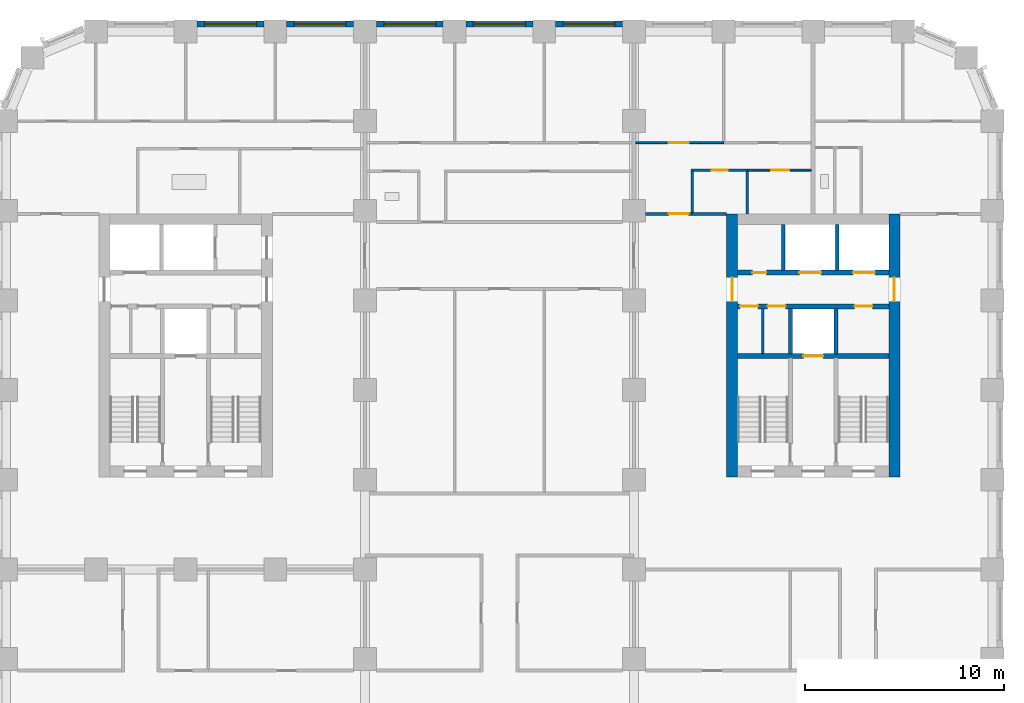
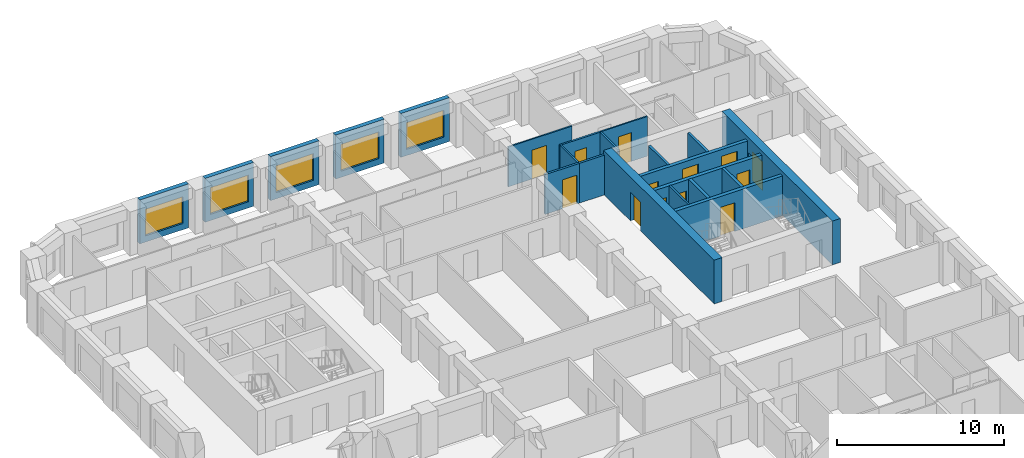
# One storey, part 8 of 13: 22 walls, 13 doors, 5 windows, 18 openings.
"""IFC4 building model written with IfcOpenShell, lengths in metres."""

from ifc_helpers import new_model, si_unit, direction, frame, frame_2d, origin, place, context, subcontext, project, spatial, rectangle, extrude, material, layer, layer_set, type_object, element, fill, save


model = new_model("IFC4")

# Units and contexts
model_context = context("Model", 3, precision=1e-05, world=origin(), true_north=direction((0.0, 1.0)))
body_context = subcontext(model_context, "Body", "Model", "MODEL_VIEW")
ifc_project = project(units=[si_unit("LENGTHUNIT", "METRE"), si_unit("AREAUNIT", "SQUARE_METRE"), si_unit("VOLUMEUNIT", "CUBIC_METRE"), si_unit("PLANEANGLEUNIT", "RADIAN"), si_unit("MASSUNIT", "GRAM", prefix="KILO")], contexts=[model_context])

# Site, building, storey
site_placement = place(None, origin())
site = spatial("IfcSite", under=ifc_project, at=site_placement, CompositionType="ELEMENT")
building_placement = place(site_placement, origin())
building = spatial("IfcBuilding", under=site, at=building_placement, Name="Girih Gate Residences", CompositionType="ELEMENT")
storey_placement = place(building_placement, frame((0.0, 0.0, 89.60009765625)))
storey = spatial("IfcBuildingStorey", under=building, at=storey_placement, Name="L24", CompositionType="ELEMENT", Elevation=89.60009765625)

# Wall
ifc_material_1 = material(Name="Gypsum board on steel studs", Category="steel")
ifc_layer_1 = layer(ifc_material_1, 0.14990234375)
ifc_layer_set_1 = layer_set([ifc_layer_1], Name="Compartment wall 150 mm")
wall_type_1 = type_object("IfcWallType", Name="Compartment wall 150 mm", PredefinedType="PARTITIONING", material=ifc_layer_set_1)
wall_1_placement = place(storey_placement, frame((34.425048828125, 40.35009765625, 0.0), z_axis=(0.0, 0.0, 1.0), x_axis=(1.0, 0.0, 0.0)))
element("IfcWall", 1, at=wall_1_placement, inside=storey, type_object=wall_type_1, Name="L24 partition", PredefinedType="PARTITIONING", context=body_context, shape_type="SweptSolid", body=[
    extrude(rectangle(XDim=1.724853515625, YDim=0.14990234375, at=frame_2d((0.8623046875, 0.0))), origin(), (0.0, 0.0, 1.0), 2.89990234375),
])

# Wall, opening, door
wall_2_placement = place(storey_placement, frame((32.074951171875, 40.35009765625, 0.0), z_axis=(0.0, 0.0, 1.0), x_axis=(1.0, 0.0, 0.0)))
wall_2 = element("IfcWall", 2, at=wall_2_placement, inside=storey, type_object=wall_type_1, Name="L24 partition", PredefinedType="PARTITIONING", context=body_context, shape_type="SweptSolid", body=[
    extrude(rectangle(XDim=2.35009765625, YDim=0.14990234375, at=frame_2d((1.175048828125, 0.0))), origin(), (0.0, 0.0, 1.0), 2.89990234375),
])
opening_1_placement = place(wall_2_placement, frame((1.175048828125, 0.0, 0.0)))
opening_1 = element("IfcOpeningElement", 3, at=opening_1_placement, cuts=wall_2, Name="Opening A24-034", PredefinedType="OPENING", context=body_context, shape_type="SweptSolid", body=[
    extrude(rectangle(XDim=1.0, YDim=2.10009765625, at=frame_2d((0.5, 1.050048828125))), frame((0.0, 0.0849609375, 0.0), z_axis=(0.0, -1.0, 0.0), x_axis=(1.0, 0.0, 0.0)), (0.0, 0.0, 1.0), 0.169921875),
])
ifc_material_2 = material(Name="Timber, fire-rated core", Category="wood")
door_type_1 = type_object("IfcDoorType", Name="Flat entrance door 1000x2100 FD30S", OperationType="NOTDEFINED", PredefinedType="DOOR", material=ifc_material_2)
door_1_placement = place(opening_1_placement, origin())
door_1 = element("IfcDoor", 4, at=door_1_placement, inside=storey, type_object=door_type_1, Name="Door A24-034", OperationType="SINGLE_SWING_RIGHT", OverallHeight=2.10009765625, OverallWidth=1.0, PredefinedType="DOOR", context=body_context, shape_type="SweptSolid", body=[
    extrude(rectangle(XDim=1.0, YDim=2.10009765625, at=frame_2d((0.5, 1.050048828125))), frame((0.0, 0.02490234375, 0.0), z_axis=(0.0, -1.0, 0.0), x_axis=(1.0, 0.0, 0.0)), (0.0, 0.0, 1.0), 0.050048828125),
])
fill(opening_1, door_1)

ifc_material_3 = material(Name="Concrete C60/75", Category="concrete")
ifc_layer_2 = layer(ifc_material_3, 0.550048828125)
ifc_layer_set_2 = layer_set([ifc_layer_2], Name="Core wall RC 550 Concrete C60/75")
wall_type_2 = type_object("IfcWallType", Name="Core wall RC 550 Concrete C60/75", PredefinedType="SOLIDWALL", material=ifc_layer_set_2)
wall_3_placement = place(storey_placement, frame((36.425048828125, 27.14990234375, 0.0), z_axis=(0.0, 0.0, 1.0), x_axis=(0.0, 1.0, 0.0)))
wall_3 = element("IfcWall", 5, at=wall_3_placement, inside=storey, type_object=wall_type_2, Name="Core wall E-W L24", PredefinedType="SOLIDWALL", context=body_context, shape_type="SweptSolid", body=[
    extrude(rectangle(XDim=13.2001953125, YDim=0.550048828125, at=frame_2d((6.60009765625, 0.0))), origin(), (0.0, 0.0, 1.0), 3.199951171875),
])
opening_2_placement = place(wall_3_placement, frame((8.800048828125, 0.0, 0.0)))
opening_2 = element("IfcOpeningElement", 6, at=opening_2_placement, cuts=wall_3, Name="Opening D-L24-E-013", PredefinedType="OPENING", context=body_context, shape_type="SweptSolid", body=[
    extrude(rectangle(XDim=1.199951171875, YDim=2.10009765625, at=frame_2d((0.60009765625, 1.050048828125))), frame((0.0, 0.284912109375, 0.0), z_axis=(0.0, -1.0, 0.0), x_axis=(1.0, 0.0, 0.0)), (0.0, 0.0, 1.0), 0.570068359375),
])
ifc_material_4 = material(Name="Painted steel, fire-resisting", Category="steel")
door_type_2 = type_object("IfcDoorType", Name="Fire door 1200x2100", OperationType="SINGLE_SWING_LEFT", PredefinedType="DOOR", material=ifc_material_4)
door_2_placement = place(opening_2_placement, origin())
door_2 = element("IfcDoor", 7, at=door_2_placement, inside=storey, type_object=door_type_2, Name="L24 E core door ll-w", OperationType="SINGLE_SWING_LEFT", OverallHeight=2.10009765625, OverallWidth=1.199951171875, PredefinedType="DOOR", context=body_context, shape_type="SweptSolid", body=[
    extrude(rectangle(XDim=1.199951171875, YDim=2.10009765625, at=frame_2d((0.60009765625, 1.050048828125))), frame((0.0, 0.02490234375, 0.0), z_axis=(0.0, -1.0, 0.0), x_axis=(1.0, 0.0, 0.0)), (0.0, 0.0, 1.0), 0.050048828125),
])
fill(opening_2, door_2)

wall_4_placement = place(storey_placement, frame((44.574951171875, 27.14990234375, 0.0), z_axis=(0.0, 0.0, 1.0), x_axis=(0.0, 1.0, 0.0)))
wall_4 = element("IfcWall", 8, at=wall_4_placement, inside=storey, type_object=wall_type_2, Name="Core wall E-E L24", PredefinedType="SOLIDWALL", context=body_context, shape_type="SweptSolid", body=[
    extrude(rectangle(XDim=13.2001953125, YDim=0.550048828125, at=frame_2d((6.60009765625, 0.0))), origin(), (0.0, 0.0, 1.0), 3.199951171875),
])
opening_3_placement = place(wall_4_placement, frame((8.800048828125, 0.0, 0.0)))
opening_3 = element("IfcOpeningElement", 9, at=opening_3_placement, cuts=wall_4, Name="Opening D-L24-E-014", PredefinedType="OPENING", context=body_context, shape_type="SweptSolid", body=[
    extrude(rectangle(XDim=1.199951171875, YDim=2.10009765625, at=frame_2d((0.60009765625, 1.050048828125))), frame((0.0, 0.284912109375, 0.0), z_axis=(0.0, -1.0, 0.0), x_axis=(1.0, 0.0, 0.0)), (0.0, 0.0, 1.0), 0.570068359375),
])
door_3_placement = place(opening_3_placement, origin())
door_3 = element("IfcDoor", 10, at=door_3_placement, inside=storey, type_object=door_type_2, Name="L24 E core door ll-e", OperationType="SINGLE_SWING_LEFT", OverallHeight=2.10009765625, OverallWidth=1.199951171875, PredefinedType="DOOR", context=body_context, shape_type="SweptSolid", body=[
    extrude(rectangle(XDim=1.199951171875, YDim=2.10009765625, at=frame_2d((0.60009765625, 1.050048828125))), frame((0.0, 0.02490234375, 0.0), z_axis=(0.0, -1.0, 0.0), x_axis=(1.0, 0.0, 0.0)), (0.0, 0.0, 1.0), 0.050048828125),
])
fill(opening_3, door_3)

ifc_material_5 = material(Name="Concrete C40/50", Category="concrete")
ifc_layer_3 = layer(ifc_material_5, 0.25)
ifc_layer_set_3 = layer_set([ifc_layer_3], Name="Lift shaft wall 250")
wall_type_3 = type_object("IfcWallType", Name="Lift shaft wall 250", PredefinedType="SOLIDWALL", material=ifc_layer_set_3)
wall_5_placement = place(storey_placement, frame((36.699951171875, 33.199951171875, 0.0), z_axis=(0.0, 0.0, 1.0), x_axis=(1.0, 0.0, 0.0)))
wall_5 = element("IfcWall", 11, at=wall_5_placement, inside=storey, type_object=wall_type_3, Name="L24 E core wall H1", PredefinedType="SOLIDWALL", context=body_context, shape_type="SweptSolid", body=[
    extrude(rectangle(XDim=7.60009765625, YDim=0.25, at=frame_2d((3.800048828125, 0.0))), origin(), (0.0, 0.0, 1.0), 2.89990234375),
])
opening_4_placement = place(wall_5_placement, frame((3.300048828125, 0.0, 0.0)))
opening_4 = element("IfcOpeningElement", 12, at=opening_4_placement, cuts=wall_5, Name="Opening D-L24-E-005", PredefinedType="OPENING", context=body_context, shape_type="SweptSolid", body=[
    extrude(rectangle(XDim=1.0, YDim=2.10009765625, at=frame_2d((0.5, 1.050048828125))), frame((0.0, 0.135009765625, 0.0), z_axis=(0.0, -1.0, 0.0), x_axis=(1.0, 0.0, 0.0)), (0.0, 0.0, 1.0), 0.27001953125),
])
ifc_material_6 = material(Name="Stainless steel, fire-resisting", Category="steel")
door_type_3 = type_object("IfcDoorType", Name="Firefighting lift landing door 1000x2100", OperationType="SLIDING_TO_LEFT", PredefinedType="DOOR", material=ifc_material_6)
door_4_placement = place(opening_4_placement, origin())
door_4 = element("IfcDoor", 13, at=door_4_placement, inside=storey, type_object=door_type_3, Name="L24 lift FF-E landing door", OperationType="SLIDING_TO_LEFT", OverallHeight=2.10009765625, OverallWidth=1.0, PredefinedType="DOOR", context=body_context, shape_type="SweptSolid", body=[
    extrude(rectangle(XDim=1.0, YDim=2.10009765625, at=frame_2d((0.5, 1.050048828125))), frame((0.0, 0.02490234375, 0.0), z_axis=(0.0, -1.0, 0.0), x_axis=(1.0, 0.0, 0.0)), (0.0, 0.0, 1.0), 0.050048828125),
])
fill(opening_4, door_4)

# Wall, openings, doors
wall_6_placement = place(storey_placement, frame((36.699951171875, 35.699951171875, 0.0), z_axis=(0.0, 0.0, 1.0), x_axis=(1.0, 0.0, 0.0)))
wall_6 = element("IfcWall", 14, at=wall_6_placement, inside=storey, type_object=wall_type_3, Name="L24 E core wall H2", PredefinedType="SOLIDWALL", context=body_context, shape_type="SweptSolid", body=[
    extrude(rectangle(XDim=7.60009765625, YDim=0.25, at=frame_2d((3.800048828125, 0.0))), origin(), (0.0, 0.0, 1.0), 2.89990234375),
])
opening_5_placement = place(wall_6_placement, frame((5.875, 0.0, 0.0)))
opening_5 = element("IfcOpeningElement", 15, at=opening_5_placement, cuts=wall_6, Name="Opening D-L24-E-007", PredefinedType="OPENING", context=body_context, shape_type="SweptSolid", body=[
    extrude(rectangle(XDim=0.89990234375, YDim=2.10009765625, at=frame_2d((0.449951171875, 1.050048828125))), frame((0.0, 0.135009765625, 0.0), z_axis=(0.0, -1.0, 0.0), x_axis=(1.0, 0.0, 0.0)), (0.0, 0.0, 1.0), 0.27001953125),
])
opening_6_placement = place(wall_6_placement, frame((1.512451171875, 0.0, 0.0)))
opening_6 = element("IfcOpeningElement", 16, at=opening_6_placement, cuts=wall_6, Name="Opening D-L24-E-008", PredefinedType="OPENING", context=body_context, shape_type="SweptSolid", body=[
    extrude(rectangle(XDim=0.89990234375, YDim=2.10009765625, at=frame_2d((0.449951171875, 1.050048828125))), frame((0.0, 0.135009765625, 0.0), z_axis=(0.0, -1.0, 0.0), x_axis=(1.0, 0.0, 0.0)), (0.0, 0.0, 1.0), 0.27001953125),
])
opening_7_placement = place(wall_6_placement, frame((0.137451171875, 0.0, 0.0)))
opening_7 = element("IfcOpeningElement", 17, at=opening_7_placement, cuts=wall_6, Name="Opening D-L24-E-009", PredefinedType="OPENING", context=body_context, shape_type="SweptSolid", body=[
    extrude(rectangle(XDim=0.89990234375, YDim=2.10009765625, at=frame_2d((0.449951171875, 1.050048828125))), frame((0.0, 0.135009765625, 0.0), z_axis=(0.0, -1.0, 0.0), x_axis=(1.0, 0.0, 0.0)), (0.0, 0.0, 1.0), 0.27001953125),
])
door_type_4 = type_object("IfcDoorType", Name="Fire door 900x2100", OperationType="SINGLE_SWING_LEFT", PredefinedType="DOOR", material=ifc_material_4)
door_5_placement = place(opening_5_placement, origin())
door_5 = element("IfcDoor", 18, at=door_5_placement, inside=storey, type_object=door_type_4, Name="L24 E riser room door", OperationType="SINGLE_SWING_LEFT", OverallHeight=2.10009765625, OverallWidth=0.89990234375, PredefinedType="DOOR", context=body_context, shape_type="SweptSolid", body=[
    extrude(rectangle(XDim=0.89990234375, YDim=2.10009765625, at=frame_2d((0.449951171875, 1.050048828125))), frame((0.0, 0.02490234375, 0.0), z_axis=(0.0, -1.0, 0.0), x_axis=(1.0, 0.0, 0.0)), (0.0, 0.0, 1.0), 0.050048828125),
])
fill(opening_5, door_5)
door_6_placement = place(opening_6_placement, origin())
door_6 = element("IfcDoor", 19, at=door_6_placement, inside=storey, type_object=door_type_4, Name="L24 E pantry door", OperationType="SINGLE_SWING_LEFT", OverallHeight=2.10009765625, OverallWidth=0.89990234375, PredefinedType="DOOR", context=body_context, shape_type="SweptSolid", body=[
    extrude(rectangle(XDim=0.89990234375, YDim=2.10009765625, at=frame_2d((0.449951171875, 1.050048828125))), frame((0.0, 0.02490234375, 0.0), z_axis=(0.0, -1.0, 0.0), x_axis=(1.0, 0.0, 0.0)), (0.0, 0.0, 1.0), 0.050048828125),
])
fill(opening_6, door_6)
door_7_placement = place(opening_7_placement, origin())
door_7 = element("IfcDoor", 20, at=door_7_placement, inside=storey, type_object=door_type_4, Name="L24 E housekeeping store door", OperationType="SINGLE_SWING_LEFT", OverallHeight=2.10009765625, OverallWidth=0.89990234375, PredefinedType="DOOR", context=body_context, shape_type="SweptSolid", body=[
    extrude(rectangle(XDim=0.89990234375, YDim=2.10009765625, at=frame_2d((0.449951171875, 1.050048828125))), frame((0.0, 0.02490234375, 0.0), z_axis=(0.0, -1.0, 0.0), x_axis=(1.0, 0.0, 0.0)), (0.0, 0.0, 1.0), 0.050048828125),
])
fill(opening_7, door_7)

wall_7_placement = place(storey_placement, frame((36.699951171875, 37.39990234375, 0.0), z_axis=(0.0, 0.0, 1.0), x_axis=(1.0, 0.0, 0.0)))
wall_7 = element("IfcWall", 21, at=wall_7_placement, inside=storey, type_object=wall_type_3, Name="L24 E core wall H3", PredefinedType="SOLIDWALL", context=body_context, shape_type="SweptSolid", body=[
    extrude(rectangle(XDim=7.60009765625, YDim=0.25, at=frame_2d((3.800048828125, 0.0))), origin(), (0.0, 0.0, 1.0), 2.89990234375),
])
opening_8_placement = place(wall_7_placement, frame((5.800048828125, 0.0, 0.0)))
opening_8 = element("IfcOpeningElement", 22, at=opening_8_placement, cuts=wall_7, Name="Opening D-L24-E-003", PredefinedType="OPENING", context=body_context, shape_type="SweptSolid", body=[
    extrude(rectangle(XDim=1.10009765625, YDim=2.39990234375, at=frame_2d((0.550048828125, 1.199951171875))), frame((0.0, 0.135009765625, 0.0), z_axis=(0.0, -1.0, 0.0), x_axis=(1.0, 0.0, 0.0)), (0.0, 0.0, 1.0), 0.27001953125),
])
opening_9_placement = place(wall_7_placement, frame((3.10009765625, 0.0, 0.0)))
opening_9 = element("IfcOpeningElement", 23, at=opening_9_placement, cuts=wall_7, Name="Opening D-L24-E-004", PredefinedType="OPENING", context=body_context, shape_type="SweptSolid", body=[
    extrude(rectangle(XDim=1.10009765625, YDim=2.39990234375, at=frame_2d((0.550048828125, 1.199951171875))), frame((0.0, 0.135009765625, 0.0), z_axis=(0.0, -1.0, 0.0), x_axis=(1.0, 0.0, 0.0)), (0.0, 0.0, 1.0), 0.27001953125),
])
opening_10_placement = place(wall_7_placement, frame((0.75, 0.0, 0.0)))
opening_10 = element("IfcOpeningElement", 24, at=opening_10_placement, cuts=wall_7, Name="Opening D-L24-E-006", PredefinedType="OPENING", context=body_context, shape_type="SweptSolid", body=[
    extrude(rectangle(XDim=0.699951171875, YDim=2.10009765625, at=frame_2d((0.35009765625, 1.050048828125))), frame((0.0, 0.135009765625, 0.0), z_axis=(0.0, -1.0, 0.0), x_axis=(1.0, 0.0, 0.0)), (0.0, 0.0, 1.0), 0.27001953125),
])
ifc_material_7 = material(Name="Stainless steel", Category="steel")
door_type_5 = type_object("IfcDoorType", Name="Lift landing door 1100x2400", OperationType="SLIDING_TO_LEFT", PredefinedType="DOOR", material=ifc_material_7)
door_8_placement = place(opening_8_placement, origin())
door_8 = element("IfcDoor", 25, at=door_8_placement, inside=storey, type_object=door_type_5, Name="L24 lift LR-E1 landing door", OperationType="SLIDING_TO_LEFT", OverallHeight=2.39990234375, OverallWidth=1.10009765625, PredefinedType="DOOR", context=body_context, shape_type="SweptSolid", body=[
    extrude(rectangle(XDim=1.10009765625, YDim=2.39990234375, at=frame_2d((0.550048828125, 1.199951171875))), frame((0.0, 0.02490234375, 0.0), z_axis=(0.0, -1.0, 0.0), x_axis=(1.0, 0.0, 0.0)), (0.0, 0.0, 1.0), 0.050048828125),
])
fill(opening_8, door_8)
door_9_placement = place(opening_9_placement, origin())
door_9 = element("IfcDoor", 26, at=door_9_placement, inside=storey, type_object=door_type_5, Name="L24 lift LR-E2 landing door", OperationType="SLIDING_TO_LEFT", OverallHeight=2.39990234375, OverallWidth=1.10009765625, PredefinedType="DOOR", context=body_context, shape_type="SweptSolid", body=[
    extrude(rectangle(XDim=1.10009765625, YDim=2.39990234375, at=frame_2d((0.550048828125, 1.199951171875))), frame((0.0, 0.02490234375, 0.0), z_axis=(0.0, -1.0, 0.0), x_axis=(1.0, 0.0, 0.0)), (0.0, 0.0, 1.0), 0.050048828125),
])
fill(opening_9, door_9)
door_type_6 = type_object("IfcDoorType", Name="Riser access door 700x2100", OperationType="SINGLE_SWING_LEFT", PredefinedType="DOOR", material=ifc_material_4)
door_10_placement = place(opening_10_placement, origin())
door_10 = element("IfcDoor", 27, at=door_10_placement, inside=storey, type_object=door_type_6, Name="L24 E riser room door", OperationType="SINGLE_SWING_LEFT", OverallHeight=2.10009765625, OverallWidth=0.699951171875, PredefinedType="DOOR", context=body_context, shape_type="SweptSolid", body=[
    extrude(rectangle(XDim=0.699951171875, YDim=2.10009765625, at=frame_2d((0.35009765625, 1.050048828125))), frame((0.0, 0.02490234375, 0.0), z_axis=(0.0, -1.0, 0.0), x_axis=(1.0, 0.0, 0.0)), (0.0, 0.0, 1.0), 0.050048828125),
])
fill(opening_10, door_10)

# Wall, opening, door
ifc_layer_4 = layer(ifc_material_1, 0.10009765625)
ifc_layer_set_4 = layer_set([ifc_layer_4], Name="Partition 100 mm")
wall_type_4 = type_object("IfcWallType", Name="Partition 100 mm", PredefinedType="PARTITIONING", material=ifc_layer_set_4)
wall_8_placement = place(storey_placement, frame((40.39990234375, 42.534912109375, 0.0), z_axis=(0.0, 0.0, 1.0), x_axis=(-1.0, 0.0, 0.0)))
wall_8 = element("IfcWall", 28, at=wall_8_placement, inside=storey, type_object=wall_type_4, Name="L24 partition", PredefinedType="PARTITIONING", context=body_context, shape_type="SweptSolid", body=[
    extrude(rectangle(XDim=3.20947265625, YDim=0.10009765625, at=frame_2d((1.604736328125, 0.0))), origin(), (0.0, 0.0, 1.0), 2.89990234375),
])
opening_11_placement = place(wall_8_placement, frame((1.104736328125, 0.0, 0.0)))
opening_11 = element("IfcOpeningElement", 29, at=opening_11_placement, cuts=wall_8, Name="Opening A24-032", PredefinedType="OPENING", context=body_context, shape_type="SweptSolid", body=[
    extrude(rectangle(XDim=0.89990234375, YDim=2.10009765625, at=frame_2d((0.449951171875, 1.050048828125))), frame((0.0, 0.06005859375, 0.0), z_axis=(0.0, -1.0, 0.0), x_axis=(1.0, 0.0, 0.0)), (0.0, 0.0, 1.0), 0.1201171875),
])
ifc_material_8 = material(Name="Timber", Category="wood")
door_type_7 = type_object("IfcDoorType", Name="Kitchen door 900x2100", OperationType="NOTDEFINED", PredefinedType="DOOR", material=ifc_material_8)
door_11_placement = place(opening_11_placement, origin())
door_11 = element("IfcDoor", 30, at=door_11_placement, inside=storey, type_object=door_type_7, Name="Door A24-032", OperationType="SINGLE_SWING_LEFT", OverallHeight=2.10009765625, OverallWidth=0.89990234375, PredefinedType="DOOR", context=body_context, shape_type="SweptSolid", body=[
    extrude(rectangle(XDim=0.89990234375, YDim=2.10009765625, at=frame_2d((0.449951171875, 1.050048828125))), frame((0.0, 0.02490234375, 0.0), z_axis=(0.0, -1.0, 0.0), x_axis=(1.0, 0.0, 0.0)), (0.0, 0.0, 1.0), 0.050048828125),
])
fill(opening_11, door_11)

wall_9_placement = place(storey_placement, frame((31.60009765625, 43.9150390625, 0.0), z_axis=(0.0, 0.0, 1.0), x_axis=(1.0, 0.0, 0.0)))
wall_9 = element("IfcWall", 31, at=wall_9_placement, inside=storey, type_object=wall_type_4, Name="L24 partition", PredefinedType="PARTITIONING", context=body_context, shape_type="SweptSolid", body=[
    extrude(rectangle(XDim=4.39990234375, YDim=0.10009765625, at=frame_2d((2.199951171875, 0.0))), origin(), (0.0, 0.0, 1.0), 2.89990234375),
])
opening_12_placement = place(wall_9_placement, frame((1.64990234375, 0.0, 0.0)))
opening_12 = element("IfcOpeningElement", 32, at=opening_12_placement, cuts=wall_9, Name="Opening A24-033", PredefinedType="OPENING", context=body_context, shape_type="SweptSolid", body=[
    extrude(rectangle(XDim=1.0, YDim=2.10009765625, at=frame_2d((0.5, 1.050048828125))), frame((0.0, 0.06005859375, 0.0), z_axis=(0.0, -1.0, 0.0), x_axis=(1.0, 0.0, 0.0)), (0.0, 0.0, 1.0), 0.1201171875),
])
door_type_8 = type_object("IfcDoorType", Name="Living room door 1000x2100", OperationType="NOTDEFINED", PredefinedType="DOOR", material=ifc_material_8)
door_12_placement = place(opening_12_placement, origin())
door_12 = element("IfcDoor", 33, at=door_12_placement, inside=storey, type_object=door_type_8, Name="Door A24-033", OperationType="SINGLE_SWING_LEFT", OverallHeight=2.10009765625, OverallWidth=1.0, PredefinedType="DOOR", context=body_context, shape_type="SweptSolid", body=[
    extrude(rectangle(XDim=1.0, YDim=2.10009765625, at=frame_2d((0.5, 1.050048828125))), frame((0.0, 0.02490234375, 0.0), z_axis=(0.0, -1.0, 0.0), x_axis=(1.0, 0.0, 0.0)), (0.0, 0.0, 1.0), 0.050048828125),
])
fill(opening_12, door_12)

# Wall, opening, window
ifc_material_9 = material(Name="Precast concrete C50/60", Category="concrete")
ifc_layer_5 = layer(ifc_material_9, 0.080078125, Name="Outer leaf")
ifc_material_10 = material(Name="Rigid PIR insulation")
ifc_layer_6 = layer(ifc_material_10, 0.14990234375, Name="Insulation")
ifc_material_11 = material(Name="Precast concrete C40/50", Category="concrete")
ifc_layer_7 = layer(ifc_material_11, 0.070068359375, Name="Inner leaf")
ifc_layer_set_5 = layer_set([ifc_layer_5, ifc_layer_6, ifc_layer_7], Name="Precast concrete C50/60 external wall 300")
wall_type_5 = type_object("IfcWallType", Name="Precast concrete C50/60 external wall 300", PredefinedType="SOLIDWALL", material=ifc_layer_set_5)
wall_10_placement = place(storey_placement, frame((27.574951171875, 49.875, 0.0), z_axis=(0.0, 0.0, 1.0), x_axis=(1.0, 0.0, 0.0)))
wall_10 = element("IfcWall", 34, at=wall_10_placement, inside=storey, type_object=wall_type_5, Name="External wall N0450_0495.3", PredefinedType="SOLIDWALL", context=body_context, shape_type="SweptSolid", body=[
    extrude(rectangle(XDim=3.35009765625, YDim=0.300048828125, at=frame_2d((1.675048828125, 0.0))), origin(), (0.0, 0.0, 1.0), 3.199951171875),
])
opening_13_placement = place(wall_10_placement, frame((0.375, 0.0, 0.449951171875)))
opening_13 = element("IfcOpeningElement", 35, at=opening_13_placement, cuts=wall_10, Name="Opening W-1A", PredefinedType="OPENING", context=body_context, shape_type="SweptSolid", body=[
    extrude(rectangle(XDim=2.60009765625, YDim=1.949951171875, at=frame_2d((1.300048828125, 0.97509765625))), frame((0.0, 0.159912109375, 0.0), z_axis=(0.0, -1.0, 0.0), x_axis=(1.0, 0.0, 0.0)), (0.0, 0.0, 1.0), 0.320068359375),
])
ifc_material_12 = material(Name="Double glazing in aluminium frame", Category="aluminium")
window_type = type_object("IfcWindowType", Name="Window W-1A 2600x1950", PartitioningType="SINGLE_PANEL", PredefinedType="WINDOW", material=ifc_material_12)
window_1_placement = place(opening_13_placement, origin())
window_1 = element("IfcWindow", 36, at=window_1_placement, inside=storey, type_object=window_type, Name="Window W-1A N0450_0495.3", OverallHeight=1.949951171875, OverallWidth=2.60009765625, PartitioningType="SINGLE_PANEL", PredefinedType="WINDOW", context=body_context, shape_type="SweptSolid", body=[
    extrude(rectangle(XDim=2.60009765625, YDim=1.949951171875, at=frame_2d((1.300048828125, 0.97509765625))), frame((0.0, 0.030029296875, 0.0), z_axis=(0.0, -1.0, 0.0), x_axis=(1.0, 0.0, 0.0)), (0.0, 0.0, 1.0), 0.06005859375),
])
fill(opening_13, window_1)

wall_11_placement = place(storey_placement, frame((23.074951171875, 49.875, 0.0), z_axis=(0.0, 0.0, 1.0), x_axis=(1.0, 0.0, 0.0)))
wall_11 = element("IfcWall", 37, at=wall_11_placement, inside=storey, type_object=wall_type_5, Name="External wall N0450_0495.4", PredefinedType="SOLIDWALL", context=body_context, shape_type="SweptSolid", body=[
    extrude(rectangle(XDim=3.35009765625, YDim=0.300048828125, at=frame_2d((1.675048828125, 0.0))), origin(), (0.0, 0.0, 1.0), 3.199951171875),
])
opening_14_placement = place(wall_11_placement, frame((0.375, 0.0, 0.449951171875)))
opening_14 = element("IfcOpeningElement", 38, at=opening_14_placement, cuts=wall_11, Name="Opening W-1A", PredefinedType="OPENING", context=body_context, shape_type="SweptSolid", body=[
    extrude(rectangle(XDim=2.60009765625, YDim=1.949951171875, at=frame_2d((1.300048828125, 0.97509765625))), frame((0.0, 0.159912109375, 0.0), z_axis=(0.0, -1.0, 0.0), x_axis=(1.0, 0.0, 0.0)), (0.0, 0.0, 1.0), 0.320068359375),
])
window_2_placement = place(opening_14_placement, origin())
window_2 = element("IfcWindow", 39, at=window_2_placement, inside=storey, type_object=window_type, Name="Window W-1A N0450_0495.4", OverallHeight=1.949951171875, OverallWidth=2.60009765625, PartitioningType="SINGLE_PANEL", PredefinedType="WINDOW", context=body_context, shape_type="SweptSolid", body=[
    extrude(rectangle(XDim=2.60009765625, YDim=1.949951171875, at=frame_2d((1.300048828125, 0.97509765625))), frame((0.0, 0.030029296875, 0.0), z_axis=(0.0, -1.0, 0.0), x_axis=(1.0, 0.0, 0.0)), (0.0, 0.0, 1.0), 0.06005859375),
])
fill(opening_14, window_2)

wall_12_placement = place(storey_placement, frame((18.574951171875, 49.875, 0.0), z_axis=(0.0, 0.0, 1.0), x_axis=(1.0, 0.0, 0.0)))
wall_12 = element("IfcWall", 40, at=wall_12_placement, inside=storey, type_object=wall_type_5, Name="External wall N0450_0495.5", PredefinedType="SOLIDWALL", context=body_context, shape_type="SweptSolid", body=[
    extrude(rectangle(XDim=3.35009765625, YDim=0.300048828125, at=frame_2d((1.675048828125, 0.0))), origin(), (0.0, 0.0, 1.0), 3.199951171875),
])
opening_15_placement = place(wall_12_placement, frame((0.375, 0.0, 0.449951171875)))
opening_15 = element("IfcOpeningElement", 41, at=opening_15_placement, cuts=wall_12, Name="Opening W-1A", PredefinedType="OPENING", context=body_context, shape_type="SweptSolid", body=[
    extrude(rectangle(XDim=2.60009765625, YDim=1.949951171875, at=frame_2d((1.300048828125, 0.97509765625))), frame((0.0, 0.159912109375, 0.0), z_axis=(0.0, -1.0, 0.0), x_axis=(1.0, 0.0, 0.0)), (0.0, 0.0, 1.0), 0.320068359375),
])
window_3_placement = place(opening_15_placement, origin())
window_3 = element("IfcWindow", 42, at=window_3_placement, inside=storey, type_object=window_type, Name="Window W-1A N0450_0495.5", OverallHeight=1.949951171875, OverallWidth=2.60009765625, PartitioningType="SINGLE_PANEL", PredefinedType="WINDOW", context=body_context, shape_type="SweptSolid", body=[
    extrude(rectangle(XDim=2.60009765625, YDim=1.949951171875, at=frame_2d((1.300048828125, 0.97509765625))), frame((0.0, 0.030029296875, 0.0), z_axis=(0.0, -1.0, 0.0), x_axis=(1.0, 0.0, 0.0)), (0.0, 0.0, 1.0), 0.06005859375),
])
fill(opening_15, window_3)

wall_13_placement = place(storey_placement, frame((14.074951171875, 49.875, 0.0), z_axis=(0.0, 0.0, 1.0), x_axis=(1.0, 0.0, 0.0)))
wall_13 = element("IfcWall", 43, at=wall_13_placement, inside=storey, type_object=wall_type_5, Name="External wall N0450_0495.6", PredefinedType="SOLIDWALL", context=body_context, shape_type="SweptSolid", body=[
    extrude(rectangle(XDim=3.35009765625, YDim=0.300048828125, at=frame_2d((1.675048828125, 0.0))), origin(), (0.0, 0.0, 1.0), 3.199951171875),
])
opening_16_placement = place(wall_13_placement, frame((0.375, 0.0, 0.449951171875)))
opening_16 = element("IfcOpeningElement", 44, at=opening_16_placement, cuts=wall_13, Name="Opening W-1A", PredefinedType="OPENING", context=body_context, shape_type="SweptSolid", body=[
    extrude(rectangle(XDim=2.60009765625, YDim=1.949951171875, at=frame_2d((1.300048828125, 0.97509765625))), frame((0.0, 0.159912109375, 0.0), z_axis=(0.0, -1.0, 0.0), x_axis=(1.0, 0.0, 0.0)), (0.0, 0.0, 1.0), 0.320068359375),
])
window_4_placement = place(opening_16_placement, origin())
window_4 = element("IfcWindow", 45, at=window_4_placement, inside=storey, type_object=window_type, Name="Window W-1A N0450_0495.6", OverallHeight=1.949951171875, OverallWidth=2.60009765625, PartitioningType="SINGLE_PANEL", PredefinedType="WINDOW", context=body_context, shape_type="SweptSolid", body=[
    extrude(rectangle(XDim=2.60009765625, YDim=1.949951171875, at=frame_2d((1.300048828125, 0.97509765625))), frame((0.0, 0.030029296875, 0.0), z_axis=(0.0, -1.0, 0.0), x_axis=(1.0, 0.0, 0.0)), (0.0, 0.0, 1.0), 0.06005859375),
])
fill(opening_16, window_4)

wall_14_placement = place(storey_placement, frame((9.574951171875, 49.875, 0.0), z_axis=(0.0, 0.0, 1.0), x_axis=(1.0, 0.0, 0.0)))
wall_14 = element("IfcWall", 46, at=wall_14_placement, inside=storey, type_object=wall_type_5, Name="External wall N0450_0495.7", PredefinedType="SOLIDWALL", context=body_context, shape_type="SweptSolid", body=[
    extrude(rectangle(XDim=3.35009765625, YDim=0.300048828125, at=frame_2d((1.675048828125, 0.0))), origin(), (0.0, 0.0, 1.0), 3.199951171875),
])
opening_17_placement = place(wall_14_placement, frame((0.375, 0.0, 0.449951171875)))
opening_17 = element("IfcOpeningElement", 47, at=opening_17_placement, cuts=wall_14, Name="Opening W-1A", PredefinedType="OPENING", context=body_context, shape_type="SweptSolid", body=[
    extrude(rectangle(XDim=2.60009765625, YDim=1.949951171875, at=frame_2d((1.300048828125, 0.97509765625))), frame((0.0, 0.159912109375, 0.0), z_axis=(0.0, -1.0, 0.0), x_axis=(1.0, 0.0, 0.0)), (0.0, 0.0, 1.0), 0.320068359375),
])
window_5_placement = place(opening_17_placement, origin())
window_5 = element("IfcWindow", 48, at=window_5_placement, inside=storey, type_object=window_type, Name="Window W-1A N0450_0495.7", OverallHeight=1.949951171875, OverallWidth=2.60009765625, PartitioningType="SINGLE_PANEL", PredefinedType="WINDOW", context=body_context, shape_type="SweptSolid", body=[
    extrude(rectangle(XDim=2.60009765625, YDim=1.949951171875, at=frame_2d((1.300048828125, 0.97509765625))), frame((0.0, 0.030029296875, 0.0), z_axis=(0.0, -1.0, 0.0), x_axis=(1.0, 0.0, 0.0)), (0.0, 0.0, 1.0), 0.06005859375),
])
fill(opening_17, window_5)

# Walls
ifc_layer_8 = layer(ifc_material_5, 0.175048828125)
ifc_layer_set_6 = layer_set([ifc_layer_8], Name="Riser shaft wall 175")
wall_type_6 = type_object("IfcWallType", Name="Riser shaft wall 175", PredefinedType="SOLIDWALL", material=ifc_layer_set_6)
for number, where, z_axis, x_axis, name in (
    (49, (41.699951171875, 37.5, 0.0), (0.0, 0.0, 1.0), (0.0, 1.0, 0.0), "L24 E core wall V1c"),
    (50, (39.0, 37.5, 0.0), (0.0, 0.0, 1.0), (0.0, 1.0, 0.0), "L24 E core wall V2c"),
):
    element("IfcWall", number, at=place(storey_placement, frame(where, z_axis=z_axis, x_axis=x_axis)), inside=storey, type_object=wall_type_6, Name=name, PredefinedType="SOLIDWALL", context=body_context, shape_type="SweptSolid", body=[
        extrude(rectangle(XDim=2.300048828125, YDim=0.175048828125, at=frame_2d((1.14990234375, 0.0))), origin(), (0.0, 0.0, 1.0), 2.89990234375),
    ])
ifc_layer_9 = layer(ifc_material_5, 0.199951171875)
ifc_layer_set_7 = layer_set([ifc_layer_9], Name="Shaft wall 200")
wall_type_7 = type_object("IfcWallType", Name="Shaft wall 200", PredefinedType="SOLIDWALL", material=ifc_layer_set_7)
for number, where, z_axis, x_axis, name in (
    (51, (41.64990234375, 33.300048828125, 0.0), (0.0, 0.0, 1.0), (0.0, 1.0, 0.0), "L24 E core wall V1b"),
    (52, (39.35009765625, 33.300048828125, 0.0), (0.0, 0.0, 1.0), (0.0, 1.0, 0.0), "L24 E core wall V2b"),
):
    element("IfcWall", number, at=place(storey_placement, frame(where, z_axis=z_axis, x_axis=x_axis)), inside=storey, type_object=wall_type_7, Name=name, PredefinedType="SOLIDWALL", context=body_context, shape_type="SweptSolid", body=[
        extrude(rectangle(XDim=2.300048828125, YDim=0.199951171875, at=frame_2d((1.14990234375, 0.0))), origin(), (0.0, 0.0, 1.0), 2.89990234375),
    ])
ifc_material_13 = material(Name="Calcium silicate blockwork", Category="masonry")
ifc_layer_10 = layer(ifc_material_13, 0.125)
ifc_layer_set_8 = layer_set([ifc_layer_10], Name="Store partition 125")
wall_type_8 = type_object("IfcWallType", Name="Store partition 125", PredefinedType="PARTITIONING", material=ifc_layer_set_8)
wall_15_placement = place(storey_placement, frame((37.97509765625, 33.300048828125, 0.0), z_axis=(0.0, 0.0, 1.0), x_axis=(0.0, 1.0, 0.0)))
element("IfcWall", 53, at=wall_15_placement, inside=storey, type_object=wall_type_8, Name="L24 E core wall SHR2", PredefinedType="PARTITIONING", context=body_context, shape_type="SweptSolid", body=[
    extrude(rectangle(XDim=2.300048828125, YDim=0.125, at=frame_2d((1.14990234375, 0.0))), origin(), (0.0, 0.0, 1.0), 2.89990234375),
])
ifc_layer_11 = layer(ifc_material_1, 0.125)
ifc_layer_set_9 = layer_set([ifc_layer_11], Name="Wet room wall 125 mm")
wall_type_9 = type_object("IfcWallType", Name="Wet room wall 125 mm", PredefinedType="PARTITIONING", material=ifc_layer_set_9)
wall_16_placement = place(storey_placement, frame((34.425048828125, 40.425048828125, 0.0), z_axis=(0.0, 0.0, 1.0), x_axis=(0.0, 1.0, 0.0)))
element("IfcWall", 54, at=wall_16_placement, inside=storey, type_object=wall_type_9, Name="L24 partition", PredefinedType="PARTITIONING", context=body_context, shape_type="SweptSolid", body=[
    extrude(rectangle(XDim=2.04736328125, YDim=0.125, at=frame_2d((1.023681640625, 0.0))), origin(), (0.0, 0.0, 1.0), 2.89990234375),
])

# Wall, opening, door
wall_17_placement = place(storey_placement, frame((37.1904296875, 42.534912109375, 0.0), z_axis=(0.0, 0.0, 1.0), x_axis=(-1.0, 0.0, 0.0)))
wall_17 = element("IfcWall", 55, at=wall_17_placement, inside=storey, type_object=wall_type_9, Name="L24 partition", PredefinedType="PARTITIONING", context=body_context, shape_type="SweptSolid", body=[
    extrude(rectangle(XDim=2.827880859375, YDim=0.125, at=frame_2d((1.4140625, 0.0))), origin(), (0.0, 0.0, 1.0), 2.89990234375),
])
opening_18_placement = place(wall_17_placement, frame((0.98291015625, 0.0, 0.0)))
opening_18 = element("IfcOpeningElement", 56, at=opening_18_placement, cuts=wall_17, Name="Opening A24-030", PredefinedType="OPENING", context=body_context, shape_type="SweptSolid", body=[
    extrude(rectangle(XDim=0.800048828125, YDim=2.10009765625, at=frame_2d((0.39990234375, 1.050048828125))), frame((0.0, 0.072509765625, 0.0), z_axis=(0.0, -1.0, 0.0), x_axis=(1.0, 0.0, 0.0)), (0.0, 0.0, 1.0), 0.14501953125),
])
door_type_9 = type_object("IfcDoorType", Name="Bathroom door 800x2100", OperationType="NOTDEFINED", PredefinedType="DOOR", material=ifc_material_8)
door_13_placement = place(opening_18_placement, origin())
door_13 = element("IfcDoor", 57, at=door_13_placement, inside=storey, type_object=door_type_9, Name="Door A24-030", OperationType="SINGLE_SWING_LEFT", OverallHeight=2.10009765625, OverallWidth=0.800048828125, PredefinedType="DOOR", context=body_context, shape_type="SweptSolid", body=[
    extrude(rectangle(XDim=0.800048828125, YDim=2.10009765625, at=frame_2d((0.39990234375, 1.050048828125))), frame((0.0, 0.02490234375, 0.0), z_axis=(0.0, -1.0, 0.0), x_axis=(1.0, 0.0, 0.0)), (0.0, 0.0, 1.0), 0.050048828125),
])
fill(opening_18, door_13)

# Wall
wall_18_placement = place(storey_placement, frame((37.19091796875, 40.35009765625, 0.0), z_axis=(0.0, 0.0, 1.0), x_axis=(0.0, 1.0, 0.0)))
element("IfcWall", 58, at=wall_18_placement, inside=storey, type_object=wall_type_9, Name="L24 partition", PredefinedType="PARTITIONING", context=body_context, shape_type="SweptSolid", body=[
    extrude(rectangle(XDim=2.122314453125, YDim=0.125, at=frame_2d((1.06103515625, 0.0))), origin(), (0.0, 0.0, 1.0), 2.89990234375),
])

save(model, "model.ifc")
